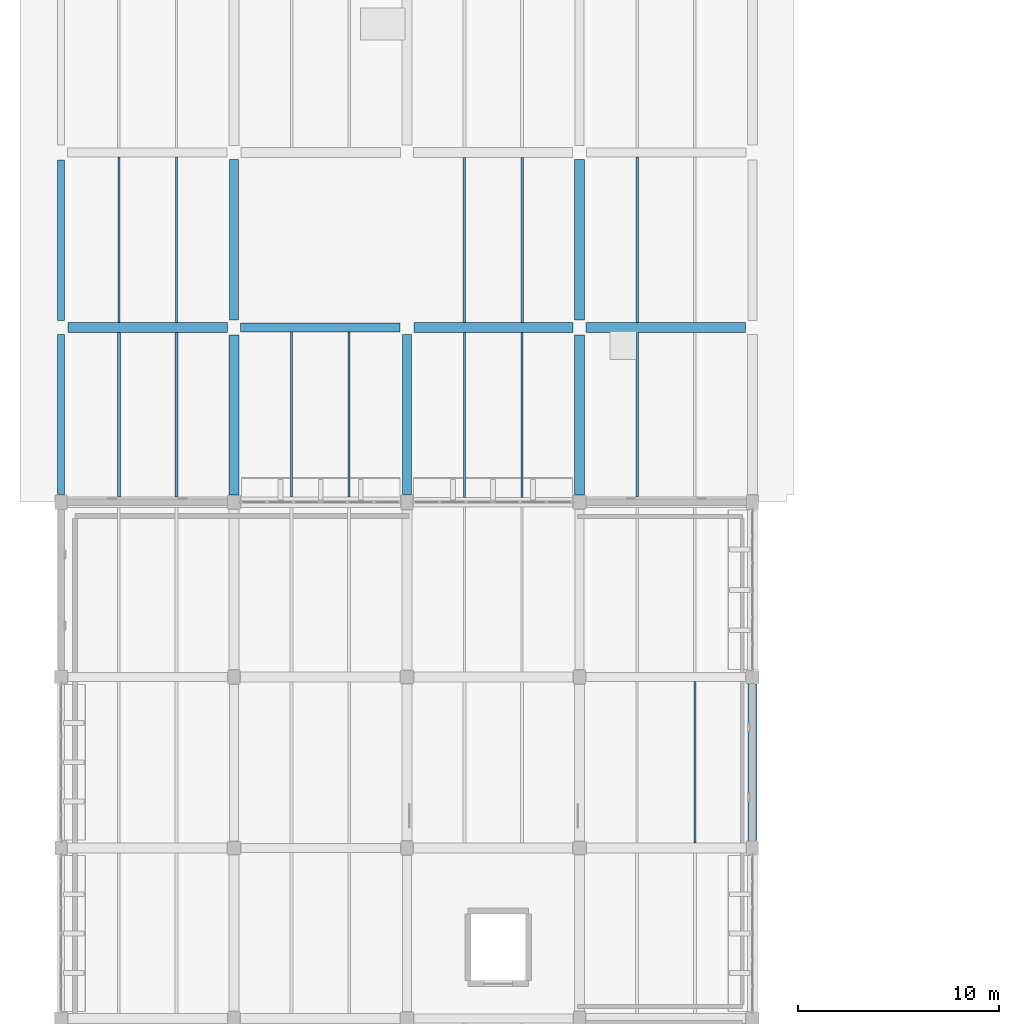
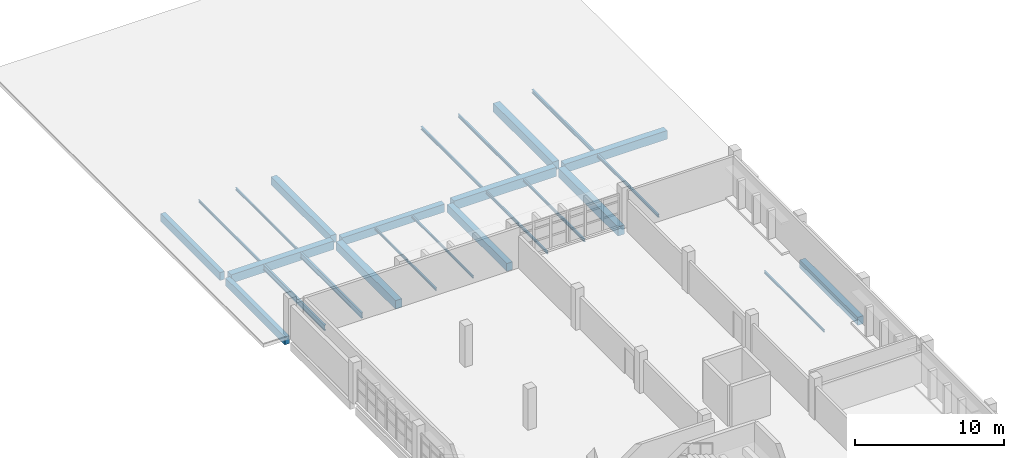
# One storey, part 63 of 93: 25 beams.
"""IFC4 building model written with IfcOpenShell, lengths in metres."""

from ifc_helpers import new_model, si_unit, direction, frame, origin, origin_2d, place, context, subcontext, project, spatial, rectangle, i_section, extrude, material, material_profile, profile_set, type_object, element, save


model = new_model("IFC4")

# Units and contexts
model_context = context("Model", 3, precision=1e-05, world=origin(), true_north=direction((0.0, 1.0)))
body_context = subcontext(model_context, "Body", "Model", "MODEL_VIEW")
ifc_project = project(units=[si_unit("LENGTHUNIT", "METRE"), si_unit("AREAUNIT", "SQUARE_METRE"), si_unit("VOLUMEUNIT", "CUBIC_METRE"), si_unit("PLANEANGLEUNIT", "RADIAN"), si_unit("MASSUNIT", "GRAM", prefix="KILO")], contexts=[model_context])

# Site, building, storey
site_placement = place(None, origin())
site = spatial("IfcSite", under=ifc_project, at=site_placement, CompositionType="ELEMENT")
building_placement = place(site_placement, origin())
building = spatial("IfcBuilding", under=site, at=building_placement, Name="Varnakota Cinema and Media Centre", CompositionType="ELEMENT")
storey_placement = place(building_placement, frame((0.0, 0.0, 12.0)))
storey = spatial("IfcBuildingStorey", under=building, at=storey_placement, Name="L03", CompositionType="ELEMENT", Elevation=12.0)

# Beams
ifc_material_1 = material(Name="Concrete M35", Category="concrete")
ifc_material_profile_1 = material_profile(ifc_material_1, rectangle(XDim=0.449951171875, YDim=0.64990234375, at=origin_2d()), Name="RCB 450x650")
ifc_profile_set_1 = profile_set([ifc_material_profile_1], Name="Concrete M35")
beam_type_1 = type_object("IfcBeamType", Name="BM-RC-450x650", PredefinedType="BEAM", material=ifc_profile_set_1)
beam_1_placement = place(storey_placement, frame((8.925048828125, 86.89990234375, -0.5849609375), z_axis=(1.0, 0.0, 0.0), x_axis=(0.0, 1.0, 0.0)))
element("IfcBeam", 1, at=beam_1_placement, inside=storey, type_object=beam_type_1, Name="L03 girder B-C/11", PredefinedType="BEAM", context=body_context, shape_type="SweptSolid", body=[
    extrude(rectangle(XDim=0.449951171875, YDim=0.64990234375, at=origin_2d()), origin(), (0.0, 0.0, 1.0), 7.925048828125),
])
for number, where, z_axis, x_axis, name in (
    (2, (8.60009765625, 87.27490234375, -0.5849609375), (0.0, 1.0, 0.0), (-1.0, 0.0, 0.0), "L03 girder B/11-12"),
    (3, (17.199951171875, 78.574951171875, -0.5849609375), (0.0, 1.0, 0.0), (-1.0, 0.0, 0.0), "L03 girder C/10-11"),
):
    element("IfcBeam", number, at=place(storey_placement, frame(where, z_axis=z_axis, x_axis=x_axis)), inside=storey, type_object=beam_type_1, Name=name, PredefinedType="BEAM", context=body_context, shape_type="SweptSolid", body=[
        extrude(rectangle(XDim=0.449951171875, YDim=0.64990234375, at=origin_2d()), origin(), (0.0, 0.0, 1.0), 7.97509765625),
    ])
beam_2_placement = place(storey_placement, frame((34.39990234375, 61.375, -0.5849609375), z_axis=(0.0, 1.0, 0.0), x_axis=(-1.0, 0.0, 0.0)))
element("IfcBeam", 4, at=beam_2_placement, inside=storey, type_object=beam_type_1, Name="L03 girder E/8-9", PredefinedType="BEAM", context=body_context, shape_type="SweptSolid", body=[
    extrude(rectangle(XDim=0.449951171875, YDim=0.64990234375, at=origin_2d()), origin(), (0.0, 0.0, 1.0), 7.77490234375),
])
ifc_material_2 = material(Name="Concrete M35", Category="concrete")
ifc_material_profile_2 = material_profile(ifc_material_2, rectangle(XDim=0.5, YDim=0.699951171875, at=origin_2d()), Name="RCB 500x700")
ifc_profile_set_2 = profile_set([ifc_material_profile_2], Name="Concrete M35")
beam_type_2 = type_object("IfcBeamType", Name="BM-RC-500x700", PredefinedType="BEAM", material=ifc_profile_set_2)
beam_3_placement = place(storey_placement, frame((0.35009765625, 86.89990234375, -0.610107421875), z_axis=(1.0, 0.0, 0.0), x_axis=(0.0, 1.0, 0.0)))
element("IfcBeam", 5, at=beam_3_placement, inside=storey, type_object=beam_type_2, Name="L03 girder A-B/11", PredefinedType="BEAM", context=body_context, shape_type="SweptSolid", body=[
    extrude(rectangle(XDim=0.5, YDim=0.699951171875, at=origin_2d()), origin(), (0.0, 0.0, 1.0), 7.9248046875),
])
beam_4_placement = place(storey_placement, frame((26.125, 86.89990234375, -0.610107421875), z_axis=(1.0, 0.0, 0.0), x_axis=(0.0, 1.0, 0.0)))
element("IfcBeam", 6, at=beam_4_placement, inside=storey, type_object=beam_type_2, Name="L03 girder D-E/11", PredefinedType="BEAM", context=body_context, shape_type="SweptSolid", body=[
    extrude(rectangle(XDim=0.5, YDim=0.699951171875, at=origin_2d()), origin(), (0.0, 0.0, 1.0), 7.925048828125),
])
beam_5_placement = place(storey_placement, frame((8.60009765625, 78.550048828125, -0.610107421875), z_axis=(0.0, 1.0, 0.0), x_axis=(-1.0, 0.0, 0.0)))
element("IfcBeam", 7, at=beam_5_placement, inside=storey, type_object=beam_type_2, Name="L03 girder B/10-11", PredefinedType="BEAM", context=body_context, shape_type="SweptSolid", body=[
    extrude(rectangle(XDim=0.5, YDim=0.699951171875, at=origin_2d()), origin(), (0.0, 0.0, 1.0), 7.974853515625),
])
beam_6_placement = place(storey_placement, frame((25.800048828125, 87.27490234375, -0.610107421875), z_axis=(0.0, 1.0, 0.0), x_axis=(-1.0, 0.0, 0.0)))
element("IfcBeam", 8, at=beam_6_placement, inside=storey, type_object=beam_type_2, Name="L03 girder D/11-12", PredefinedType="BEAM", context=body_context, shape_type="SweptSolid", body=[
    extrude(rectangle(XDim=0.5, YDim=0.699951171875, at=origin_2d()), origin(), (0.0, 0.0, 1.0), 7.97509765625),
])
ifc_material_3 = material(Name="Concrete M35", Category="concrete")
ifc_material_profile_3 = material_profile(ifc_material_3, rectangle(XDim=0.5, YDim=0.75, at=origin_2d()), Name="RCB 500x750")
ifc_profile_set_3 = profile_set([ifc_material_profile_3], Name="Concrete M35")
beam_type_3 = type_object("IfcBeamType", Name="BM-RC-500x750", PredefinedType="BEAM", material=ifc_profile_set_3)
beam_7_placement = place(storey_placement, frame((17.550048828125, 86.89990234375, -0.635009765625), z_axis=(1.0, 0.0, 0.0), x_axis=(0.0, 1.0, 0.0)))
element("IfcBeam", 9, at=beam_7_placement, inside=storey, type_object=beam_type_3, Name="L03 girder C-D/11", PredefinedType="BEAM", context=body_context, shape_type="SweptSolid", body=[
    extrude(rectangle(XDim=0.5, YDim=0.75, at=origin_2d()), origin(), (0.0, 0.0, 1.0), 7.925048828125),
])
beam_8_placement = place(storey_placement, frame((25.800048828125, 78.550048828125, -0.635009765625), z_axis=(0.0, 1.0, 0.0), x_axis=(-1.0, 0.0, 0.0)))
element("IfcBeam", 10, at=beam_8_placement, inside=storey, type_object=beam_type_3, Name="L03 girder D/10-11", PredefinedType="BEAM", context=body_context, shape_type="SweptSolid", body=[
    extrude(rectangle(XDim=0.5, YDim=0.75, at=origin_2d()), origin(), (0.0, 0.0, 1.0), 7.974853515625),
])
ifc_material_4 = material(Name="Concrete M40", Category="concrete")
ifc_material_profile_4 = material_profile(ifc_material_4, rectangle(XDim=0.35009765625, YDim=0.64990234375, at=origin_2d()), Name="RCB 350x650")
ifc_profile_set_4 = profile_set([ifc_material_profile_4], Name="Concrete M40")
beam_type_4 = type_object("IfcBeamType", Name="BM-SP-350x650", PredefinedType="SPANDREL", material=ifc_profile_set_4)
for number, where, z_axis, x_axis, name in (
    (11, (0.0, 78.574951171875, -0.5849609375), (0.0, 1.0, 0.0), (-1.0, 0.0, 0.0), "L03 girder A/10-11"),
    (12, (0.0, 87.25, -0.5849609375), (0.0, 1.0, 0.0), (-1.0, 0.0, 0.0), "L03 girder A/11-12"),
):
    element("IfcBeam", number, at=place(storey_placement, frame(where, z_axis=z_axis, x_axis=x_axis)), inside=storey, type_object=beam_type_4, Name=name, PredefinedType="SPANDREL", context=body_context, shape_type="SweptSolid", body=[
        extrude(rectangle(XDim=0.35009765625, YDim=0.64990234375, at=origin_2d()), origin(), (0.0, 0.0, 1.0), 7.97509765625),
    ])
ifc_material_5 = material(Name="Structural steel Grade 350 (E350)", Category="steel")
ifc_material_profile_5 = material_profile(ifc_material_5, i_section(OverallWidth=0.10009765625, OverallDepth=0.199951171875, WebThickness=0.005615234375, FlangeThickness=0.0107421875, FilletRadius=0.010986328125, at=origin_2d()), Name="ISMB 200")
ifc_profile_set_5 = profile_set([ifc_material_profile_5], Name="Structural steel Grade 350 (E350)")
beam_type_5 = type_object("IfcBeamType", Name="BM-ST-ISMB200", PredefinedType="JOIST", material=ifc_profile_set_5)
for number, where, z_axis, x_axis, name in (
    (13, (2.86669921875, 87.14990234375, -0.360107421875), (0.0, 1.0, 0.0), (-1.0, 0.0, 0.0), "L03 steel joist A-B/11-12 #1"),
    (14, (5.7333984375, 87.14990234375, -0.360107421875), (0.0, 1.0, 0.0), (-1.0, 0.0, 0.0), "L03 steel joist A-B/11-12 #2"),
    (15, (11.466796875, 78.449951171875, -0.360107421875), (0.0, 1.0, 0.0), (-1.0, 0.0, 0.0), "L03 steel joist B-C/10-11 #1"),
    (16, (14.333251953125, 78.449951171875, -0.360107421875), (0.0, 1.0, 0.0), (-1.0, 0.0, 0.0), "L03 steel joist B-C/10-11 #2"),
):
    element("IfcBeam", number, at=place(storey_placement, frame(where, z_axis=z_axis, x_axis=x_axis)), inside=storey, type_object=beam_type_5, Name=name, PredefinedType="JOIST", context=body_context, shape_type="SweptSolid", body=[
        extrude(i_section(OverallWidth=0.10009765625, OverallDepth=0.199951171875, WebThickness=0.005615234375, FlangeThickness=0.0107421875, FilletRadius=0.010986328125, at=origin_2d()), origin(), (0.0, 0.0, 1.0), 8.22509765625),
    ])
beam_9_placement = place(storey_placement, frame((31.533203125, 61.25, -0.360107421875), z_axis=(0.0, 1.0, 0.0), x_axis=(-1.0, 0.0, 0.0)))
element("IfcBeam", 17, at=beam_9_placement, inside=storey, type_object=beam_type_5, Name="L03 steel joist D-E/8-9 #2", PredefinedType="JOIST", context=body_context, shape_type="SweptSolid", body=[
    extrude(i_section(OverallWidth=0.10009765625, OverallDepth=0.199951171875, WebThickness=0.005615234375, FlangeThickness=0.0107421875, FilletRadius=0.010986328125, at=origin_2d()), origin(), (0.0, 0.0, 1.0), 8.02490234375),
])
ifc_material_6 = material(Name="Structural steel Grade 350 (E350)", Category="steel")
ifc_material_profile_6 = material_profile(ifc_material_6, i_section(OverallWidth=0.110107421875, OverallDepth=0.22509765625, WebThickness=0.006591796875, FlangeThickness=0.01171875, FilletRadius=0.011962890625, at=origin_2d()), Name="ISMB 225")
ifc_profile_set_6 = profile_set([ifc_material_profile_6], Name="Structural steel Grade 350 (E350)")
beam_type_6 = type_object("IfcBeamType", Name="BM-ST-ISMB225", PredefinedType="JOIST", material=ifc_profile_set_6)
for number, where, z_axis, x_axis, name in (
    (18, (20.066650390625, 78.425048828125, -0.37255859375), (0.0, 1.0, 0.0), (-1.0, 0.0, 0.0), "L03 steel joist C-D/10-11 #1"),
    (19, (22.933349609375, 78.425048828125, -0.37255859375), (0.0, 1.0, 0.0), (-1.0, 0.0, 0.0), "L03 steel joist C-D/10-11 #2"),
):
    element("IfcBeam", number, at=place(storey_placement, frame(where, z_axis=z_axis, x_axis=x_axis)), inside=storey, type_object=beam_type_6, Name=name, PredefinedType="JOIST", context=body_context, shape_type="SweptSolid", body=[
        extrude(i_section(OverallWidth=0.110107421875, OverallDepth=0.22509765625, WebThickness=0.006591796875, FlangeThickness=0.01171875, FilletRadius=0.011962890625, at=origin_2d()), origin(), (0.0, 0.0, 1.0), 8.224853515625),
    ])
ifc_material_7 = material(Name="Structural steel Grade 350 (E350)", Category="steel")
ifc_material_profile_7 = material_profile(ifc_material_7, i_section(OverallWidth=0.125, OverallDepth=0.25, WebThickness=0.0068359375, FlangeThickness=0.012451171875, FilletRadius=0.012939453125, at=origin_2d()), Name="ISMB 250")
ifc_profile_set_7 = profile_set([ifc_material_profile_7], Name="Structural steel Grade 350 (E350)")
beam_type_7 = type_object("IfcBeamType", Name="BM-ST-ISMB250", PredefinedType="JOIST", material=ifc_profile_set_7)
for number, where, z_axis, x_axis, name in (
    (20, (20.066650390625, 87.14990234375, -0.385009765625), (0.0, 1.0, 0.0), (-1.0, 0.0, 0.0), "L03 steel joist C-D/11-12 #1"),
    (21, (22.933349609375, 87.14990234375, -0.385009765625), (0.0, 1.0, 0.0), (-1.0, 0.0, 0.0), "L03 steel joist C-D/11-12 #2"),
):
    element("IfcBeam", number, at=place(storey_placement, frame(where, z_axis=z_axis, x_axis=x_axis)), inside=storey, type_object=beam_type_7, Name=name, PredefinedType="JOIST", context=body_context, shape_type="SweptSolid", body=[
        extrude(i_section(OverallWidth=0.125, OverallDepth=0.25, WebThickness=0.0068359375, FlangeThickness=0.012451171875, FilletRadius=0.012939453125, at=origin_2d()), origin(), (0.0, 0.0, 1.0), 8.2001953125),
    ])
beam_10_placement = place(storey_placement, frame((28.666748046875, 78.449951171875, -0.385009765625), z_axis=(0.0, 1.0, 0.0), x_axis=(-1.0, 0.0, 0.0)))
element("IfcBeam", 22, at=beam_10_placement, inside=storey, type_object=beam_type_7, Name="L03 steel joist D-E/10-11 #1", PredefinedType="JOIST", context=body_context, shape_type="SweptSolid", body=[
    extrude(i_section(OverallWidth=0.125, OverallDepth=0.25, WebThickness=0.0068359375, FlangeThickness=0.012451171875, FilletRadius=0.012939453125, at=origin_2d()), origin(), (0.0, 0.0, 1.0), 8.199951171875),
])
ifc_material_8 = material(Name="Structural steel Grade 350 (E350)", Category="steel")
ifc_material_profile_8 = material_profile(ifc_material_8, i_section(OverallWidth=0.139892578125, OverallDepth=0.300048828125, WebThickness=0.0078125, FlangeThickness=0.01318359375, FilletRadius=0.013916015625, at=origin_2d()), Name="ISMB 300")
ifc_profile_set_8 = profile_set([ifc_material_profile_8], Name="Structural steel Grade 350 (E350)")
beam_type_8 = type_object("IfcBeamType", Name="BM-ST-ISMB300", PredefinedType="JOIST", material=ifc_profile_set_8)
beam_11_placement = place(storey_placement, frame((28.666748046875, 87.14990234375, -0.409912109375), z_axis=(0.0, 1.0, 0.0), x_axis=(-1.0, 0.0, 0.0)))
element("IfcBeam", 23, at=beam_11_placement, inside=storey, type_object=beam_type_8, Name="L03 steel joist D-E/11-12 #1", PredefinedType="JOIST", context=body_context, shape_type="SweptSolid", body=[
    extrude(i_section(OverallWidth=0.139892578125, OverallDepth=0.300048828125, WebThickness=0.0078125, FlangeThickness=0.01318359375, FilletRadius=0.013916015625, at=origin_2d()), origin(), (0.0, 0.0, 1.0), 8.22509765625),
])
ifc_material_9 = material(Name="Structural steel Grade 350 (E350)", Category="steel")
ifc_material_profile_9 = material_profile(ifc_material_9, i_section(OverallWidth=0.14990234375, OverallDepth=0.449951171875, WebThickness=0.009521484375, FlangeThickness=0.017333984375, FilletRadius=0.014892578125, at=origin_2d()), Name="ISMB 450")
ifc_profile_set_9 = profile_set([ifc_material_profile_9], Name="Structural steel Grade 350 (E350)")
beam_type_9 = type_object("IfcBeamType", Name="BM-ST-ISMB450", PredefinedType="BEAM", material=ifc_profile_set_9)
for number, where, z_axis, x_axis, name in (
    (24, (2.86669921875, 78.449951171875, -0.485107421875), (0.0, 1.0, 0.0), (-1.0, 0.0, 0.0), "L03 steel joist A-B/10-11 #1"),
    (25, (5.7333984375, 78.449951171875, -0.485107421875), (0.0, 1.0, 0.0), (-1.0, 0.0, 0.0), "L03 steel joist A-B/10-11 #2"),
):
    element("IfcBeam", number, at=place(storey_placement, frame(where, z_axis=z_axis, x_axis=x_axis)), inside=storey, type_object=beam_type_9, Name=name, PredefinedType="BEAM", context=body_context, shape_type="SweptSolid", body=[
        extrude(i_section(OverallWidth=0.14990234375, OverallDepth=0.449951171875, WebThickness=0.009521484375, FlangeThickness=0.017333984375, FilletRadius=0.014892578125, at=origin_2d()), origin(), (0.0, 0.0, 1.0), 8.199951171875),
    ])

save(model, "model.ifc")
